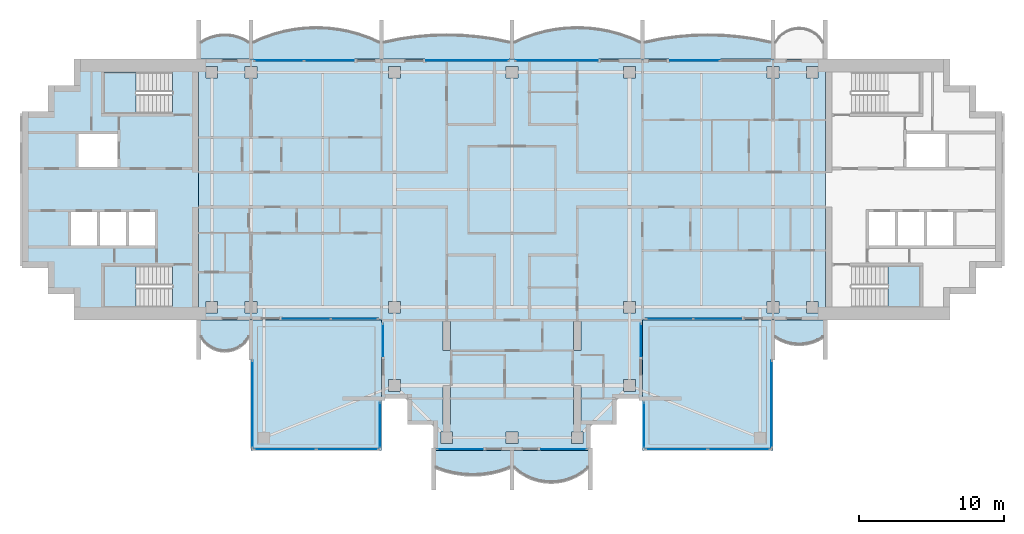
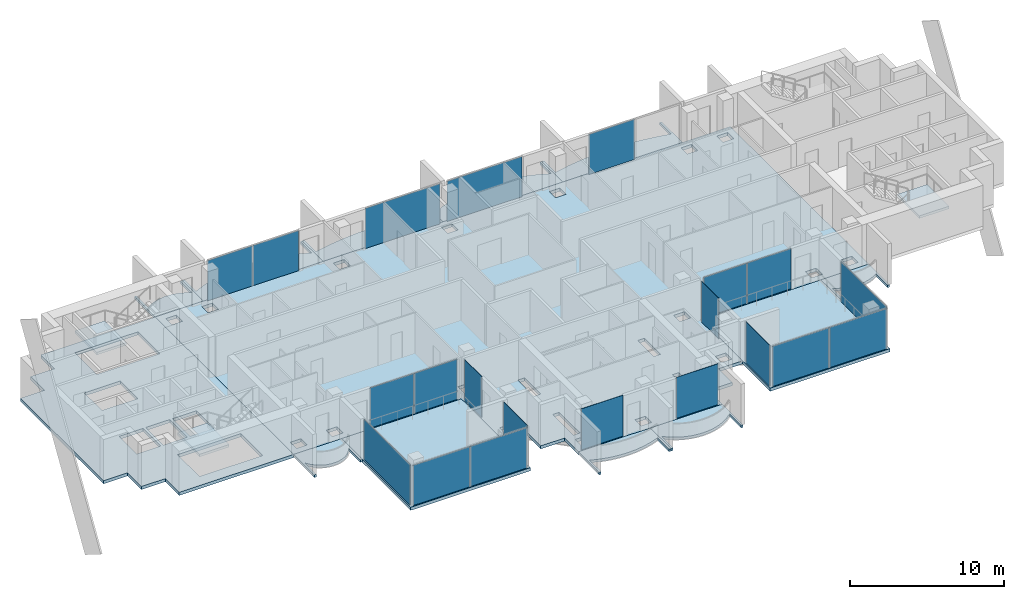
# One storey, part 5 of 16: 21 plates, 16 slabs, 19 elements without a shape of their own.
"""IFC4 building model written with IfcOpenShell, lengths in metres."""

from ifc_helpers import new_model, si_unit, direction, frame, origin, origin_2d, place, context, subcontext, project, spatial, polyline, rectangle, outline, extrude, material, layer, layer_set, type_object, element, aggregate, save


model = new_model("IFC4")

# Units and contexts
model_context = context("Model", 3, precision=1e-05, world=origin(), true_north=direction((0.0, 1.0)))
body_context = subcontext(model_context, "Body", "Model", "MODEL_VIEW")
ifc_project = project(units=[si_unit("LENGTHUNIT", "METRE"), si_unit("AREAUNIT", "SQUARE_METRE"), si_unit("VOLUMEUNIT", "CUBIC_METRE"), si_unit("PLANEANGLEUNIT", "RADIAN"), si_unit("MASSUNIT", "GRAM", prefix="KILO")], contexts=[model_context])

# Site, building, storey
site_placement = place(None, origin())
site = spatial("IfcSite", under=ifc_project, at=site_placement, CompositionType="ELEMENT")
building_placement = place(site_placement, origin())
building = spatial("IfcBuilding", under=site, at=building_placement, Name="Perihelion Cross Residences", CompositionType="ELEMENT")
storey_placement = place(building_placement, frame((0.0, 0.0, 264.0)))
storey = spatial("IfcBuildingStorey", under=building, at=storey_placement, Name="L67", CompositionType="ELEMENT", Elevation=264.0)

# Slabs
ifc_material_1 = material(Name="Concrete C40/50", Category="concrete")
ifc_layer_1 = layer(ifc_material_1, 0.199951171875)
ifc_layer_set_1 = layer_set([ifc_layer_1], Name="Balcony slab 200")
slab_type_1 = type_object("IfcSlabType", Name="Balcony slab 200", PredefinedType="FLOOR", material=ifc_layer_set_1)
slab_1_placement = place(storey_placement, frame((0.0, 0.0, -0.199951171875)))
element("IfcSlab", 1, at=slab_1_placement, inside=storey, type_object=slab_type_1, Name="Slab BK1 L67 east side north bay 2 balcony", PredefinedType="FLOOR", context=body_context, shape_type="SweptSolid", body=[
    extrude(outline(polyline([(18.0, 9.0), (9.0, 9.0), (9.0, 11.699951171875), (9.14990234375, 11.699951171875), (9.14990234375, 10.199951171875), (10.237548828125, 10.42041015625), (11.324951171875, 10.576171875), (12.41259765625, 10.669189453125), (13.5, 10.699951171875), (14.58740234375, 10.669189453125), (15.675048828125, 10.576171875), (16.762451171875, 10.42041015625), (17.85009765625, 10.199951171875), (17.85009765625, 11.699951171875), (18.0, 11.699951171875), (18.0, 9.0)])), origin(), (0.0, 0.0, 1.0), 0.199951171875),
])
slab_2_placement = place(storey_placement, frame((0.0, 0.0, -0.199951171875)))
element("IfcSlab", 2, at=slab_2_placement, inside=storey, type_object=slab_type_1, Name="Slab BK1 L67 north side east bay 1 balcony", PredefinedType="FLOOR", context=body_context, shape_type="SweptSolid", body=[
    extrude(outline(polyline([(9.0, 9.0), (0.0, 9.0), (0.0, 11.699951171875), (0.14990234375, 11.699951171875), (0.14990234375, 10.199951171875), (0.875, 10.51708984375), (1.60009765625, 10.7685546875), (2.324951171875, 10.959716796875), (3.050048828125, 11.093994140625), (3.77490234375, 11.173583984375), (4.5, 11.199951171875), (5.22509765625, 11.173583984375), (5.949951171875, 11.093994140625), (6.675048828125, 10.959716796875), (7.39990234375, 10.7685546875), (8.125, 10.51708984375), (8.85009765625, 10.199951171875), (8.85009765625, 11.699951171875), (9.0, 11.699951171875), (9.0, 9.0)])), origin(), (0.0, 0.0, 1.0), 0.199951171875),
])
slab_3_placement = place(storey_placement, frame((0.0, 0.0, -0.199951171875)))
element("IfcSlab", 3, at=slab_3_placement, inside=storey, type_object=slab_type_1, Name="Slab BK1 L67 north side east bay 2 balcony", PredefinedType="FLOOR", context=body_context, shape_type="SweptSolid", body=[
    extrude(outline(polyline([(0.0, 9.0), (-9.0, 9.0), (-9.0, 11.699951171875), (-8.85009765625, 11.699951171875), (-8.85009765625, 10.199951171875), (-7.762451171875, 10.42041015625), (-6.675048828125, 10.576171875), (-5.58740234375, 10.669189453125), (-4.5, 10.699951171875), (-3.41259765625, 10.669189453125), (-2.324951171875, 10.576171875), (-1.237548828125, 10.42041015625), (-0.14990234375, 10.199951171875), (-0.14990234375, 11.699951171875), (0.0, 11.699951171875), (0.0, 9.0)])), origin(), (0.0, 0.0, 1.0), 0.199951171875),
])
slab_4_placement = place(storey_placement, frame((0.0, 0.0, -0.199951171875)))
element("IfcSlab", 4, at=slab_4_placement, inside=storey, type_object=slab_type_1, Name="Slab BK1 L67 west side north bay 1 balcony", PredefinedType="FLOOR", context=body_context, shape_type="SweptSolid", body=[
    extrude(outline(polyline([(-9.0, 9.0), (-18.0, 9.0), (-18.0, 11.699951171875), (-17.85009765625, 11.699951171875), (-17.85009765625, 10.199951171875), (-17.125, 10.51708984375), (-16.39990234375, 10.7685546875), (-15.675048828125, 10.959716796875), (-14.949951171875, 11.093994140625), (-14.22509765625, 11.173583984375), (-13.5, 11.199951171875), (-12.77490234375, 11.173583984375), (-12.050048828125, 11.093994140625), (-11.324951171875, 10.959716796875), (-10.60009765625, 10.7685546875), (-9.875, 10.51708984375), (-9.14990234375, 10.199951171875), (-9.14990234375, 11.699951171875), (-9.0, 11.699951171875), (-9.0, 9.0)])), origin(), (0.0, 0.0, 1.0), 0.199951171875),
])
slab_5_placement = place(storey_placement, frame((0.0, 0.0, -0.199951171875)))
element("IfcSlab", 5, at=slab_5_placement, inside=storey, type_object=slab_type_1, Name="Slab BK1 L67 west side north bay 2 balcony", PredefinedType="FLOOR", context=body_context, shape_type="SweptSolid", body=[
    extrude(outline(polyline([(-18.0, 9.0), (-21.60009765625, 9.0), (-21.60009765625, 11.699951171875), (-21.449951171875, 11.699951171875), (-21.449951171875, 10.199951171875), (-21.083251953125, 10.40869140625), (-20.716552734375, 10.55517578125), (-20.35009765625, 10.648681640625), (-19.9833984375, 10.6943359375), (-19.61669921875, 10.6943359375), (-19.25, 10.648681640625), (-18.88330078125, 10.55517578125), (-18.5166015625, 10.40869140625), (-18.14990234375, 10.199951171875), (-18.14990234375, 11.699951171875), (-18.0, 11.699951171875), (-18.0, 9.0)])), origin(), (0.0, 0.0, 1.0), 0.199951171875),
])
slab_6_placement = place(storey_placement, frame((0.0, 0.0, -0.199951171875)))
element("IfcSlab", 6, at=slab_6_placement, inside=storey, type_object=slab_type_1, Name="Slab BK1 L67 west side south bay 1 balcony", PredefinedType="FLOOR", context=body_context, shape_type="SweptSolid", body=[
    extrude(outline(polyline([(-21.60009765625, -9.0), (-18.0, -9.0), (-18.0, -11.699951171875), (-18.14990234375, -11.699951171875), (-18.14990234375, -10.199951171875), (-18.425048828125, -10.568603515625), (-18.699951171875, -10.806396484375), (-18.97509765625, -10.96875), (-19.25, -11.07568359375), (-19.52490234375, -11.136962890625), (-19.800048828125, -11.156982421875), (-20.074951171875, -11.136962890625), (-20.35009765625, -11.07568359375), (-20.625, -10.96875), (-20.89990234375, -10.806396484375), (-21.175048828125, -10.568603515625), (-21.449951171875, -10.199951171875), (-21.449951171875, -11.699951171875), (-21.60009765625, -11.699951171875), (-21.60009765625, -9.0)])), origin(), (0.0, 0.0, 1.0), 0.199951171875),
])
slab_7_placement = place(storey_placement, frame((0.0, 0.0, -0.199951171875)))
element("IfcSlab", 7, at=slab_7_placement, inside=storey, type_object=slab_type_1, Name="Slab BK1 L67 south tip south bay 1 balcony", PredefinedType="FLOOR", context=body_context, shape_type="SweptSolid", body=[
    extrude(outline(polyline([(-5.39990234375, -18.0), (0.0, -18.0), (0.0, -20.699951171875), (-0.14990234375, -20.699951171875), (-0.14990234375, -19.199951171875), (-0.78759765625, -19.423583984375), (-1.425048828125, -19.57861328125), (-2.0625, -19.669921875), (-2.699951171875, -19.699951171875), (-3.33740234375, -19.669921875), (-3.97509765625, -19.57861328125), (-4.612548828125, -19.423583984375), (-5.25, -19.199951171875), (-5.25, -20.699951171875), (-5.39990234375, -20.699951171875), (-5.39990234375, -18.0)])), origin(), (0.0, 0.0, 1.0), 0.199951171875),
])
slab_8_placement = place(storey_placement, frame((0.0, 0.0, -0.199951171875)))
element("IfcSlab", 8, at=slab_8_placement, inside=storey, type_object=slab_type_1, Name="Slab BK1 L67 south tip south bay 2 balcony", PredefinedType="FLOOR", context=body_context, shape_type="SweptSolid", body=[
    extrude(outline(polyline([(0.0, -18.0), (5.39990234375, -18.0), (5.39990234375, -20.699951171875), (5.25, -20.699951171875), (5.25, -19.199951171875), (4.824951171875, -19.5400390625), (4.39990234375, -19.792724609375), (3.97509765625, -19.9765625), (3.550048828125, -20.1025390625), (3.125, -20.17578125), (2.699951171875, -20.199951171875), (2.27490234375, -20.17578125), (1.85009765625, -20.1025390625), (1.425048828125, -19.9765625), (1.0, -19.792724609375), (0.574951171875, -19.5400390625), (0.14990234375, -19.199951171875), (0.14990234375, -20.699951171875), (0.0, -20.699951171875), (0.0, -18.0)])), origin(), (0.0, 0.0, 1.0), 0.199951171875),
])
slab_9_placement = place(storey_placement, frame((0.0, 0.0, -0.199951171875)))
element("IfcSlab", 9, at=slab_9_placement, inside=storey, type_object=slab_type_1, Name="Slab BK1 L67 east side south bay 2 balcony", PredefinedType="FLOOR", context=body_context, shape_type="SweptSolid", body=[
    extrude(outline(polyline([(18.0, -9.0), (21.60009765625, -9.0), (21.60009765625, -11.699951171875), (21.449951171875, -11.699951171875), (21.449951171875, -10.199951171875), (21.083251953125, -10.40869140625), (20.716552734375, -10.55517578125), (20.35009765625, -10.648681640625), (19.9833984375, -10.6943359375), (19.61669921875, -10.6943359375), (19.25, -10.648681640625), (18.88330078125, -10.55517578125), (18.5166015625, -10.40869140625), (18.14990234375, -10.199951171875), (18.14990234375, -11.699951171875), (18.0, -11.699951171875), (18.0, -9.0)])), origin(), (0.0, 0.0, 1.0), 0.199951171875),
])

# Curtain wall, plate
ifc_material_2 = material(Name="Bronze anodised aluminium, tinted glazing", Category="aluminium")
curtain_wall_type_1 = type_object("IfcCurtainWallType", Name="CW1", PredefinedType="NOTDEFINED", material=ifc_material_2)
curtain_wall_1_placement = place(storey_placement, origin())
curtain_wall_1 = element("IfcCurtainWall", 10, at=curtain_wall_1_placement, inside=storey, type_object=curtain_wall_type_1, Name="Curtain wall CW1 L67 east side north bay 2", PredefinedType="NOTDEFINED")
ifc_material_3 = material(Name="Tinted laminated glass", Category="glass")
ifc_layer_2 = layer(ifc_material_3, 0.028076171875)
ifc_layer_set_2 = layer_set([ifc_layer_2], Name="CW1 panel")
plate_type_1 = type_object("IfcPlateType", Name="CW1 panel", PredefinedType="CURTAIN_PANEL", material=ifc_layer_set_2)
plate_1_placement = place(storey_placement, frame((12.610107421875, 8.89990234375, 0.0), z_axis=(0.0, 0.0, 1.0), x_axis=(-1.0, 0.0, 0.0)))
plate_1 = element("IfcPlate", 11, at=plate_1_placement, type_object=plate_type_1, Name="CW1 panel 2", PredefinedType="CURTAIN_PANEL", context=body_context, shape_type="SweptSolid", body=[
    extrude(rectangle(XDim=3.419921875, YDim=0.028076171875, at=origin_2d()), origin(), (0.0, 0.0, 1.0), 3.18994140625),
])
aggregate(curtain_wall_1, [plate_1])

curtain_wall_2_placement = place(storey_placement, origin())
curtain_wall_2 = element("IfcCurtainWall", 12, at=curtain_wall_2_placement, inside=storey, type_object=curtain_wall_type_1, Name="Curtain wall CW1 L67 north side east bay 1", PredefinedType="NOTDEFINED")
plate_2_placement = place(storey_placement, frame((3.080078125, 8.89990234375, 0.0), z_axis=(0.0, 0.0, 1.0), x_axis=(-1.0, 0.0, 0.0)))
plate_2 = element("IfcPlate", 13, at=plate_2_placement, type_object=plate_type_1, Name="CW1 panel 1", PredefinedType="CURTAIN_PANEL", context=body_context, shape_type="SweptSolid", body=[
    extrude(rectangle(XDim=5.639892578125, YDim=0.028076171875, at=origin_2d()), origin(), (0.0, 0.0, 1.0), 3.18994140625),
])
aggregate(curtain_wall_2, [plate_2])

curtain_wall_3_placement = place(storey_placement, origin())
curtain_wall_3 = element("IfcCurtainWall", 14, at=curtain_wall_3_placement, inside=storey, type_object=curtain_wall_type_1, Name="Curtain wall CW1 L67 north side east bay 2", PredefinedType="NOTDEFINED")
plate_3_placement = place(storey_placement, frame((-3.080078125, 8.89990234375, 0.0), z_axis=(0.0, 0.0, 1.0), x_axis=(-1.0, 0.0, 0.0)))
plate_3 = element("IfcPlate", 15, at=plate_3_placement, type_object=plate_type_1, Name="CW1 panel 1", PredefinedType="CURTAIN_PANEL", context=body_context, shape_type="SweptSolid", body=[
    extrude(rectangle(XDim=5.639892578125, YDim=0.028076171875, at=origin_2d()), origin(), (0.0, 0.0, 1.0), 3.18994140625),
])
aggregate(curtain_wall_3, [plate_3])

# Curtain wall, plates
curtain_wall_4_placement = place(storey_placement, origin())
curtain_wall_4 = element("IfcCurtainWall", 16, at=curtain_wall_4_placement, inside=storey, type_object=curtain_wall_type_1, Name="Curtain wall CW1 L67 west side north bay 1", PredefinedType="NOTDEFINED")
plate_4_placement = place(storey_placement, frame((-12.610107421875, 8.89990234375, 0.0), z_axis=(0.0, 0.0, 1.0), x_axis=(-1.0, 0.0, 0.0)))
plate_4 = element("IfcPlate", 17, at=plate_4_placement, type_object=plate_type_1, Name="CW1 panel 1", PredefinedType="CURTAIN_PANEL", context=body_context, shape_type="SweptSolid", body=[
    extrude(rectangle(XDim=3.419921875, YDim=0.028076171875, at=origin_2d()), origin(), (0.0, 0.0, 1.0), 3.18994140625),
])
plate_5_placement = place(storey_placement, frame((-16.06005859375, 8.89990234375, 0.0), z_axis=(0.0, 0.0, 1.0), x_axis=(-1.0, 0.0, 0.0)))
plate_5 = element("IfcPlate", 18, at=plate_5_placement, type_object=plate_type_1, Name="CW1 panel 2", PredefinedType="CURTAIN_PANEL", context=body_context, shape_type="SweptSolid", body=[
    extrude(rectangle(XDim=3.360107421875, YDim=0.028076171875, at=origin_2d()), origin(), (0.0, 0.0, 1.0), 3.18994140625),
])
aggregate(curtain_wall_4, [plate_4, plate_5])

curtain_wall_5_placement = place(storey_placement, origin())
curtain_wall_5 = element("IfcCurtainWall", 19, at=curtain_wall_5_placement, inside=storey, type_object=curtain_wall_type_1, Name="Curtain wall CW1 L67 west side south bay 2", PredefinedType="NOTDEFINED")
plate_6_placement = place(storey_placement, frame((-14.1650390625, -8.89990234375, 0.0), z_axis=(0.0, 0.0, 1.0), x_axis=(1.0, 0.0, 0.0)))
plate_6 = element("IfcPlate", 20, at=plate_6_placement, type_object=plate_type_1, Name="CW1 panel 1", PredefinedType="CURTAIN_PANEL", context=body_context, shape_type="SweptSolid", body=[
    extrude(rectangle(XDim=3.27001953125, YDim=0.028076171875, at=origin_2d()), origin(), (0.0, 0.0, 1.0), 3.18994140625),
])
plate_7_placement = place(storey_placement, frame((-10.864990234375, -8.89990234375, 0.0), z_axis=(0.0, 0.0, 1.0), x_axis=(1.0, 0.0, 0.0)))
plate_7 = element("IfcPlate", 21, at=plate_7_placement, type_object=plate_type_1, Name="CW1 panel 2", PredefinedType="CURTAIN_PANEL", context=body_context, shape_type="SweptSolid", body=[
    extrude(rectangle(XDim=3.2099609375, YDim=0.028076171875, at=origin_2d()), origin(), (0.0, 0.0, 1.0), 3.18994140625),
])
aggregate(curtain_wall_5, [plate_6, plate_7])

# Curtain wall, plate
curtain_wall_6_placement = place(storey_placement, origin())
curtain_wall_6 = element("IfcCurtainWall", 22, at=curtain_wall_6_placement, inside=storey, type_object=curtain_wall_type_1, Name="Curtain wall CW1 L67 south side west bay 1", PredefinedType="NOTDEFINED")
plate_8_placement = place(storey_placement, frame((-8.89990234375, -10.3798828125, 0.0), z_axis=(0.0, 0.0, 1.0), x_axis=(0.0, -1.0, 0.0)))
plate_8 = element("IfcPlate", 23, at=plate_8_placement, type_object=plate_type_1, Name="CW1 panel 1", PredefinedType="CURTAIN_PANEL", context=body_context, shape_type="SweptSolid", body=[
    extrude(rectangle(XDim=2.239990234375, YDim=0.028076171875, at=origin_2d()), origin(), (0.0, 0.0, 1.0), 3.25),
])
aggregate(curtain_wall_6, [plate_8])

curtain_wall_7_placement = place(storey_placement, origin())
curtain_wall_7 = element("IfcCurtainWall", 24, at=curtain_wall_7_placement, inside=storey, type_object=curtain_wall_type_1, Name="Curtain wall CW1 L67 south tip south bay 1", PredefinedType="NOTDEFINED")
plate_9_placement = place(storey_placement, frame((-3.570068359375, -17.89990234375, 0.0), z_axis=(0.0, 0.0, 1.0), x_axis=(1.0, 0.0, 0.0)))
plate_9 = element("IfcPlate", 25, at=plate_9_placement, type_object=plate_type_1, Name="CW1 panel 1", PredefinedType="CURTAIN_PANEL", context=body_context, shape_type="SweptSolid", body=[
    extrude(rectangle(XDim=3.139892578125, YDim=0.028076171875, at=origin_2d()), origin(), (0.0, 0.0, 1.0), 3.25),
])
aggregate(curtain_wall_7, [plate_9])

curtain_wall_8_placement = place(storey_placement, origin())
curtain_wall_8 = element("IfcCurtainWall", 26, at=curtain_wall_8_placement, inside=storey, type_object=curtain_wall_type_1, Name="Curtain wall CW1 L67 south tip south bay 2", PredefinedType="NOTDEFINED")
plate_10_placement = place(storey_placement, frame((3.570068359375, -17.89990234375, 0.0), z_axis=(0.0, 0.0, 1.0), x_axis=(1.0, 0.0, 0.0)))
plate_10 = element("IfcPlate", 27, at=plate_10_placement, type_object=plate_type_1, Name="CW1 panel 1", PredefinedType="CURTAIN_PANEL", context=body_context, shape_type="SweptSolid", body=[
    extrude(rectangle(XDim=3.139892578125, YDim=0.028076171875, at=origin_2d()), origin(), (0.0, 0.0, 1.0), 3.25),
])
aggregate(curtain_wall_8, [plate_10])

curtain_wall_9_placement = place(storey_placement, origin())
curtain_wall_9 = element("IfcCurtainWall", 28, at=curtain_wall_9_placement, inside=storey, type_object=curtain_wall_type_1, Name="Curtain wall CW1 L67 south side east bay 1", PredefinedType="NOTDEFINED")
plate_11_placement = place(storey_placement, frame((8.89990234375, -10.3798828125, 0.0), z_axis=(0.0, 0.0, 1.0), x_axis=(0.0, 1.0, 0.0)))
plate_11 = element("IfcPlate", 29, at=plate_11_placement, type_object=plate_type_1, Name="CW1 panel 1", PredefinedType="CURTAIN_PANEL", context=body_context, shape_type="SweptSolid", body=[
    extrude(rectangle(XDim=2.239990234375, YDim=0.028076171875, at=origin_2d()), origin(), (0.0, 0.0, 1.0), 3.25),
])
aggregate(curtain_wall_9, [plate_11])

# Curtain wall, plates
curtain_wall_10_placement = place(storey_placement, origin())
curtain_wall_10 = element("IfcCurtainWall", 30, at=curtain_wall_10_placement, inside=storey, type_object=curtain_wall_type_1, Name="Curtain wall CW1 L67 east side south bay 1", PredefinedType="NOTDEFINED")
plate_12_placement = place(storey_placement, frame((10.864990234375, -8.89990234375, 0.0), z_axis=(0.0, 0.0, 1.0), x_axis=(1.0, 0.0, 0.0)))
plate_12 = element("IfcPlate", 31, at=plate_12_placement, type_object=plate_type_1, Name="CW1 panel 1", PredefinedType="CURTAIN_PANEL", context=body_context, shape_type="SweptSolid", body=[
    extrude(rectangle(XDim=3.2099609375, YDim=0.028076171875, at=origin_2d()), origin(), (0.0, 0.0, 1.0), 3.18994140625),
])
plate_13_placement = place(storey_placement, frame((14.1650390625, -8.89990234375, 0.0), z_axis=(0.0, 0.0, 1.0), x_axis=(1.0, 0.0, 0.0)))
plate_13 = element("IfcPlate", 32, at=plate_13_placement, type_object=plate_type_1, Name="CW1 panel 2", PredefinedType="CURTAIN_PANEL", context=body_context, shape_type="SweptSolid", body=[
    extrude(rectangle(XDim=3.27001953125, YDim=0.028076171875, at=origin_2d()), origin(), (0.0, 0.0, 1.0), 3.18994140625),
])
aggregate(curtain_wall_10, [plate_12, plate_13])

# Curtain wall, plate
ifc_material_4 = material(Name="Bronze anodised aluminium, tinted glazing", Category="aluminium")
curtain_wall_type_2 = type_object("IfcCurtainWallType", Name="CW4", PredefinedType="NOTDEFINED", material=ifc_material_4)
curtain_wall_11_placement = place(storey_placement, origin())
curtain_wall_11 = element("IfcCurtainWall", 33, at=curtain_wall_11_placement, inside=storey, type_object=curtain_wall_type_2, Name="Curtain wall CW4 L67 pocket south-east 1 1", PredefinedType="NOTDEFINED")
ifc_material_5 = material(Name="Tinted laminated glass", Category="glass")
ifc_layer_3 = layer(ifc_material_5, 0.030029296875)
ifc_layer_set_3 = layer_set([ifc_layer_3], Name="CW4 panel")
plate_type_2 = type_object("IfcPlateType", Name="CW4 panel", PredefinedType="CURTAIN_PANEL", material=ifc_layer_set_3)
plate_14_placement = place(storey_placement, frame((17.89990234375, -14.784912109375, 0.0), z_axis=(0.0, 0.0, 1.0), x_axis=(0.0, -1.0, 0.0)))
plate_14 = element("IfcPlate", 34, at=plate_14_placement, type_object=plate_type_2, Name="CW4 panel 1", PredefinedType="CURTAIN_PANEL", context=body_context, shape_type="SweptSolid", body=[
    extrude(rectangle(XDim=5.969970703125, YDim=0.030029296875, at=origin_2d()), origin(), (0.0, 0.0, 1.0), 3.18994140625),
])
aggregate(curtain_wall_11, [plate_14])

# Curtain wall, plates
curtain_wall_12_placement = place(storey_placement, origin())
curtain_wall_12 = element("IfcCurtainWall", 35, at=curtain_wall_12_placement, inside=storey, type_object=curtain_wall_type_2, Name="Curtain wall CW4 L67 pocket south-east 1 2", PredefinedType="NOTDEFINED")
plate_15_placement = place(storey_placement, frame((15.64990234375, -17.89990234375, 0.0), z_axis=(0.0, 0.0, 1.0), x_axis=(-1.0, 0.0, 0.0)))
plate_15 = element("IfcPlate", 36, at=plate_15_placement, type_object=plate_type_2, Name="CW4 panel 1", PredefinedType="CURTAIN_PANEL", context=body_context, shape_type="SweptSolid", body=[
    extrude(rectangle(XDim=4.239990234375, YDim=0.030029296875, at=origin_2d()), origin(), (0.0, 0.0, 1.0), 3.18994140625),
])
plate_16_placement = place(storey_placement, frame((11.35009765625, -17.89990234375, 0.0), z_axis=(0.0, 0.0, 1.0), x_axis=(-1.0, 0.0, 0.0)))
plate_16 = element("IfcPlate", 37, at=plate_16_placement, type_object=plate_type_2, Name="CW4 panel 2", PredefinedType="CURTAIN_PANEL", context=body_context, shape_type="SweptSolid", body=[
    extrude(rectangle(XDim=4.239990234375, YDim=0.030029296875, at=origin_2d()), origin(), (0.0, 0.0, 1.0), 3.18994140625),
])
aggregate(curtain_wall_12, [plate_15, plate_16])

# Curtain wall, plate
curtain_wall_13_placement = place(storey_placement, origin())
curtain_wall_13 = element("IfcCurtainWall", 38, at=curtain_wall_13_placement, inside=storey, type_object=curtain_wall_type_2, Name="Curtain wall CW4 L67 pocket south-east 1 3", PredefinedType="NOTDEFINED")
plate_17_placement = place(storey_placement, frame((9.10009765625, -16.2294921875, 0.0), z_axis=(0.0, 0.0, 1.0), x_axis=(0.0, 1.0, 0.0)))
plate_17 = element("IfcPlate", 39, at=plate_17_placement, type_object=plate_type_2, Name="CW4 panel 1", PredefinedType="CURTAIN_PANEL", context=body_context, shape_type="SweptSolid", body=[
    extrude(rectangle(XDim=3.0810546875, YDim=0.030029296875, at=origin_2d()), origin(), (0.0, 0.0, 1.0), 3.25),
])
aggregate(curtain_wall_13, [plate_17])

curtain_wall_14_placement = place(storey_placement, origin())
curtain_wall_14 = element("IfcCurtainWall", 40, at=curtain_wall_14_placement, inside=storey, type_object=curtain_wall_type_2, Name="Curtain wall CW4 L67 pocket south-west 1 1", PredefinedType="NOTDEFINED")
plate_18_placement = place(storey_placement, frame((-9.10009765625, -16.2294921875, 0.0), z_axis=(0.0, 0.0, 1.0), x_axis=(0.0, -1.0, 0.0)))
plate_18 = element("IfcPlate", 41, at=plate_18_placement, type_object=plate_type_2, Name="CW4 panel 1", PredefinedType="CURTAIN_PANEL", context=body_context, shape_type="SweptSolid", body=[
    extrude(rectangle(XDim=3.0810546875, YDim=0.030029296875, at=origin_2d()), origin(), (0.0, 0.0, 1.0), 3.25),
])
aggregate(curtain_wall_14, [plate_18])

# Curtain wall, plates
curtain_wall_15_placement = place(storey_placement, origin())
curtain_wall_15 = element("IfcCurtainWall", 42, at=curtain_wall_15_placement, inside=storey, type_object=curtain_wall_type_2, Name="Curtain wall CW4 L67 pocket south-west 1 2", PredefinedType="NOTDEFINED")
plate_19_placement = place(storey_placement, frame((-11.35009765625, -17.89990234375, 0.0), z_axis=(0.0, 0.0, 1.0), x_axis=(-1.0, 0.0, 0.0)))
plate_19 = element("IfcPlate", 43, at=plate_19_placement, type_object=plate_type_2, Name="CW4 panel 1", PredefinedType="CURTAIN_PANEL", context=body_context, shape_type="SweptSolid", body=[
    extrude(rectangle(XDim=4.239990234375, YDim=0.030029296875, at=origin_2d()), origin(), (0.0, 0.0, 1.0), 3.18994140625),
])
plate_20_placement = place(storey_placement, frame((-15.64990234375, -17.89990234375, 0.0), z_axis=(0.0, 0.0, 1.0), x_axis=(-1.0, 0.0, 0.0)))
plate_20 = element("IfcPlate", 44, at=plate_20_placement, type_object=plate_type_2, Name="CW4 panel 2", PredefinedType="CURTAIN_PANEL", context=body_context, shape_type="SweptSolid", body=[
    extrude(rectangle(XDim=4.239990234375, YDim=0.030029296875, at=origin_2d()), origin(), (0.0, 0.0, 1.0), 3.18994140625),
])
aggregate(curtain_wall_15, [plate_19, plate_20])

# Curtain wall, plate
curtain_wall_16_placement = place(storey_placement, origin())
curtain_wall_16 = element("IfcCurtainWall", 45, at=curtain_wall_16_placement, inside=storey, type_object=curtain_wall_type_2, Name="Curtain wall CW4 L67 pocket south-west 1 3", PredefinedType="NOTDEFINED")
plate_21_placement = place(storey_placement, frame((-17.89990234375, -14.784912109375, 0.0), z_axis=(0.0, 0.0, 1.0), x_axis=(0.0, 1.0, 0.0)))
plate_21 = element("IfcPlate", 46, at=plate_21_placement, type_object=plate_type_2, Name="CW4 panel 1", PredefinedType="CURTAIN_PANEL", context=body_context, shape_type="SweptSolid", body=[
    extrude(rectangle(XDim=5.969970703125, YDim=0.030029296875, at=origin_2d()), origin(), (0.0, 0.0, 1.0), 3.18994140625),
])
aggregate(curtain_wall_16, [plate_21])

# Slab
ifc_material_6 = material(Name="Concrete C40/50", Category="concrete")
ifc_layer_4 = layer(ifc_material_6, 0.25)
ifc_layer_set_4 = layer_set([ifc_layer_4], Name="Core floor slab 250")
slab_type_2 = type_object("IfcSlabType", Name="Core floor slab 250", PredefinedType="FLOOR", material=ifc_layer_set_4)
slab_10_placement = place(storey_placement, frame((0.0, 0.0, -0.25)))
element("IfcSlab", 47, at=slab_10_placement, inside=storey, type_object=slab_type_2, Name="West core floor slab", PredefinedType="FLOOR", context=body_context, shape_type="SweptSolid", body=[
    extrude(outline(polyline([(-30.199951171875, 7.199951171875), (-32.0, 7.199951171875), (-32.0, 5.39990234375), (-33.800048828125, 5.39990234375), (-33.800048828125, -5.39990234375), (-32.0, -5.39990234375), (-32.0, -7.199951171875), (-30.199951171875, -7.199951171875), (-30.199951171875, -9.0), (-21.60009765625, -9.0), (-21.60009765625, 9.0), (-30.199951171875, 9.0), (-30.199951171875, 7.199951171875)]), holes=[polyline([(-28.14990234375, -8.10009765625), (-28.14990234375, -5.25), (-23.405029296875, -5.25), (-23.405029296875, -8.10009765625), (-28.14990234375, -8.10009765625)]), polyline([(-24.60009765625, -1.550048828125), (-24.60009765625, -3.85009765625), (-26.39990234375, -3.85009765625), (-26.39990234375, -1.550048828125), (-24.60009765625, -1.550048828125)]), polyline([(-26.60009765625, -1.550048828125), (-26.60009765625, -3.85009765625), (-28.39990234375, -3.85009765625), (-28.39990234375, -1.550048828125), (-26.60009765625, -1.550048828125)]), polyline([(-28.60009765625, -3.85009765625), (-30.39990234375, -3.85009765625), (-30.39990234375, -1.550048828125), (-28.60009765625, -1.550048828125), (-28.60009765625, -3.85009765625)]), polyline([(-27.199951171875, 3.85009765625), (-27.199951171875, 1.550048828125), (-29.89990234375, 1.550048828125), (-29.89990234375, 3.85009765625), (-27.199951171875, 3.85009765625)]), polyline([(-23.405029296875, 5.25), (-28.14990234375, 5.25), (-28.14990234375, 8.10009765625), (-23.405029296875, 8.10009765625), (-23.405029296875, 5.25)])]), origin(), (0.0, 0.0, 1.0), 0.25),
])

# Stair, slab
ifc_material_7 = material(Name="Concrete C40/50", Category="concrete")
stair_type = type_object("IfcStairType", Name="Exit stair, half-turn", PredefinedType="HALF_TURN_STAIR", material=ifc_material_7)
stair_1_placement = place(storey_placement, origin())
stair_1 = element("IfcStair", 48, at=stair_1_placement, inside=storey, type_object=stair_type, Name="L67 East core exit stair 2", PredefinedType="HALF_TURN_STAIR")
ifc_material_8 = material(Name="Concrete C40/50", Category="concrete")
ifc_layer_5 = layer(ifc_material_8, 0.199951171875)
ifc_layer_set_5 = layer_set([ifc_layer_5], Name="Exit stair landing 200")
slab_type_3 = type_object("IfcSlabType", Name="Exit stair landing 200", PredefinedType="LANDING", material=ifc_layer_set_5)
slab_11_placement = place(storey_placement, frame((0.0, 0.0, 1.550048828125)))
slab_11 = element("IfcSlab", 49, at=slab_11_placement, type_object=slab_type_3, Name="ST-E2 landing 1", PredefinedType="LANDING", context=body_context, shape_type="SweptSolid", body=[
    extrude(outline(polyline([(25.919921875, -8.10009765625), (28.14990234375, -8.10009765625), (28.14990234375, -5.25), (25.919921875, -5.25), (25.919921875, -8.10009765625)])), origin(), (0.0, 0.0, 1.0), 0.199951171875),
])
aggregate(stair_1, [slab_11])

stair_2_placement = place(storey_placement, origin())
stair_2 = element("IfcStair", 50, at=stair_2_placement, inside=storey, type_object=stair_type, Name="L67 West core exit stair 1", PredefinedType="HALF_TURN_STAIR")
slab_12_placement = place(storey_placement, frame((0.0, 0.0, 1.550048828125)))
slab_12 = element("IfcSlab", 51, at=slab_12_placement, type_object=slab_type_3, Name="ST-W1 landing 1", PredefinedType="LANDING", context=body_context, shape_type="SweptSolid", body=[
    extrude(outline(polyline([(-25.919921875, 8.10009765625), (-28.14990234375, 8.10009765625), (-28.14990234375, 5.25), (-25.919921875, 5.25), (-25.919921875, 8.10009765625)])), origin(), (0.0, 0.0, 1.0), 0.199951171875),
])
aggregate(stair_2, [slab_12])

stair_3_placement = place(storey_placement, origin())
stair_3 = element("IfcStair", 52, at=stair_3_placement, inside=storey, type_object=stair_type, Name="L67 West core exit stair 2", PredefinedType="HALF_TURN_STAIR")
slab_13_placement = place(storey_placement, frame((0.0, 0.0, 1.550048828125)))
slab_13 = element("IfcSlab", 53, at=slab_13_placement, type_object=slab_type_3, Name="ST-W2 landing 1", PredefinedType="LANDING", context=body_context, shape_type="SweptSolid", body=[
    extrude(outline(polyline([(-25.919921875, -5.25), (-28.14990234375, -5.25), (-28.14990234375, -8.10009765625), (-25.919921875, -8.10009765625), (-25.919921875, -5.25)])), origin(), (0.0, 0.0, 1.0), 0.199951171875),
])
aggregate(stair_3, [slab_13])

# Slabs
ifc_material_9 = material(Name="Concrete C50/60", Category="concrete")
ifc_layer_6 = layer(ifc_material_9, 0.25)
ifc_layer_set_6 = layer_set([ifc_layer_6], Name="Residential floor post-tensioned slab concrete C50/60")
slab_type_4 = type_object("IfcSlabType", Name="Residential floor post-tensioned slab concrete C50/60", PredefinedType="FLOOR", material=ifc_layer_set_6)
slab_14_placement = place(storey_placement, frame((0.0, 0.0, -0.25)))
element("IfcSlab", 54, at=slab_14_placement, inside=storey, type_object=slab_type_4, Name="Slab SL8 L67 1 no. 1", PredefinedType="FLOOR", context=body_context, shape_type="SweptSolid", body=[
    extrude(outline(polyline([(-9.0, 9.0), (9.0, 9.0), (21.60009765625, 9.0), (21.60009765625, -9.0), (9.0, -9.0), (9.0, -14.39990234375), (7.199951171875, -14.39990234375), (7.199951171875, -16.199951171875), (5.39990234375, -16.199951171875), (5.39990234375, -18.0), (-5.39990234375, -18.0), (-5.39990234375, -16.199951171875), (-7.199951171875, -16.199951171875), (-7.199951171875, -14.39990234375), (-9.0, -14.39990234375), (-9.0, -9.0), (-21.60009765625, -9.0), (-21.60009765625, 9.0), (-9.0, 9.0)]), holes=[polyline([(-4.10009765625, -16.699951171875), (-4.89990234375, -16.699951171875), (-4.89990234375, -17.5), (-4.10009765625, -17.5), (-4.10009765625, -16.699951171875)]), polyline([(0.39990234375, -17.5), (0.39990234375, -16.699951171875), (-0.39990234375, -16.699951171875), (-0.39990234375, -17.5), (0.39990234375, -17.5)]), polyline([(-4.25, -16.199951171875), (-4.25, -13.5), (-4.75, -13.5), (-4.75, -16.199951171875), (-4.25, -16.199951171875)]), polyline([(-7.699951171875, -13.10009765625), (-8.5, -13.10009765625), (-8.5, -13.89990234375), (-7.699951171875, -13.89990234375), (-7.699951171875, -13.10009765625)]), polyline([(-4.25, -11.10009765625), (-4.25, -9.0), (-4.75, -9.0), (-4.75, -11.10009765625), (-4.25, -11.10009765625)]), polyline([(-20.300048828125, -8.5), (-20.300048828125, -7.699951171875), (-21.10009765625, -7.699951171875), (-21.10009765625, -8.5), (-20.300048828125, -8.5)]), polyline([(-17.60009765625, -7.699951171875), (-18.39990234375, -7.699951171875), (-18.39990234375, -8.5), (-17.60009765625, -8.5), (-17.60009765625, -7.699951171875)]), polyline([(-7.699951171875, -8.5), (-7.699951171875, -7.699951171875), (-8.5, -7.699951171875), (-8.5, -8.5), (-7.699951171875, -8.5)]), polyline([(-20.300048828125, 8.5), (-21.10009765625, 8.5), (-21.10009765625, 7.699951171875), (-20.300048828125, 7.699951171875), (-20.300048828125, 8.5)]), polyline([(-17.60009765625, 7.699951171875), (-17.60009765625, 8.5), (-18.39990234375, 8.5), (-18.39990234375, 7.699951171875), (-17.60009765625, 7.699951171875)]), polyline([(-7.699951171875, 7.699951171875), (-7.699951171875, 8.5), (-8.5, 8.5), (-8.5, 7.699951171875), (-7.699951171875, 7.699951171875)]), polyline([(4.89990234375, -16.699951171875), (4.10009765625, -16.699951171875), (4.10009765625, -17.5), (4.89990234375, -17.5), (4.89990234375, -16.699951171875)]), polyline([(4.75, -16.199951171875), (4.75, -13.5), (4.25, -13.5), (4.25, -16.199951171875), (4.75, -16.199951171875)]), polyline([(8.5, -13.89990234375), (8.5, -13.10009765625), (7.699951171875, -13.10009765625), (7.699951171875, -13.89990234375), (8.5, -13.89990234375)]), polyline([(4.75, -9.0), (4.25, -9.0), (4.25, -11.10009765625), (4.75, -11.10009765625), (4.75, -9.0)]), polyline([(8.5, -8.5), (8.5, -7.699951171875), (7.699951171875, -7.699951171875), (7.699951171875, -8.5), (8.5, -8.5)]), polyline([(18.39990234375, -8.5), (18.39990234375, -7.699951171875), (17.60009765625, -7.699951171875), (17.60009765625, -8.5), (18.39990234375, -8.5)]), polyline([(21.10009765625, -7.699951171875), (20.300048828125, -7.699951171875), (20.300048828125, -8.5), (21.10009765625, -8.5), (21.10009765625, -7.699951171875)]), polyline([(0.39990234375, 7.699951171875), (0.39990234375, 8.5), (-0.39990234375, 8.5), (-0.39990234375, 7.699951171875), (0.39990234375, 7.699951171875)]), polyline([(8.5, 8.5), (7.699951171875, 8.5), (7.699951171875, 7.699951171875), (8.5, 7.699951171875), (8.5, 8.5)]), polyline([(18.39990234375, 7.699951171875), (18.39990234375, 8.5), (17.60009765625, 8.5), (17.60009765625, 7.699951171875), (18.39990234375, 7.699951171875)]), polyline([(21.10009765625, 7.699951171875), (21.10009765625, 8.5), (20.300048828125, 8.5), (20.300048828125, 7.699951171875), (21.10009765625, 7.699951171875)])]), origin(), (0.0, 0.0, 1.0), 0.25),
])
ifc_material_10 = material(Name="Concrete C40/50", Category="concrete")
ifc_layer_7 = layer(ifc_material_10, 0.25)
ifc_layer_set_7 = layer_set([ifc_layer_7], Name="Winter garden slab")
slab_type_5 = type_object("IfcSlabType", Name="Winter garden slab", PredefinedType="FLOOR", material=ifc_layer_set_7)
slab_15_placement = place(storey_placement, frame((0.0, 0.0, -0.25)))
element("IfcSlab", 55, at=slab_15_placement, inside=storey, type_object=slab_type_5, Name="Slab BK3 L67 pocket south-west", PredefinedType="FLOOR", context=body_context, shape_type="SweptSolid", body=[
    extrude(outline(polyline([(-9.0, -18.0), (-9.0, -9.0), (-18.0, -9.0), (-18.0, -18.0), (-9.0, -18.0)])), origin(), (0.0, 0.0, 1.0), 0.25),
])
slab_16_placement = place(storey_placement, frame((0.0, 0.0, -0.25)))
element("IfcSlab", 56, at=slab_16_placement, inside=storey, type_object=slab_type_5, Name="Slab BK3 L67 pocket south-east", PredefinedType="FLOOR", context=body_context, shape_type="SweptSolid", body=[
    extrude(outline(polyline([(18.0, -18.0), (18.0, -9.0), (9.0, -9.0), (9.0, -18.0), (18.0, -18.0)])), origin(), (0.0, 0.0, 1.0), 0.25),
])

save(model, "model.ifc")
